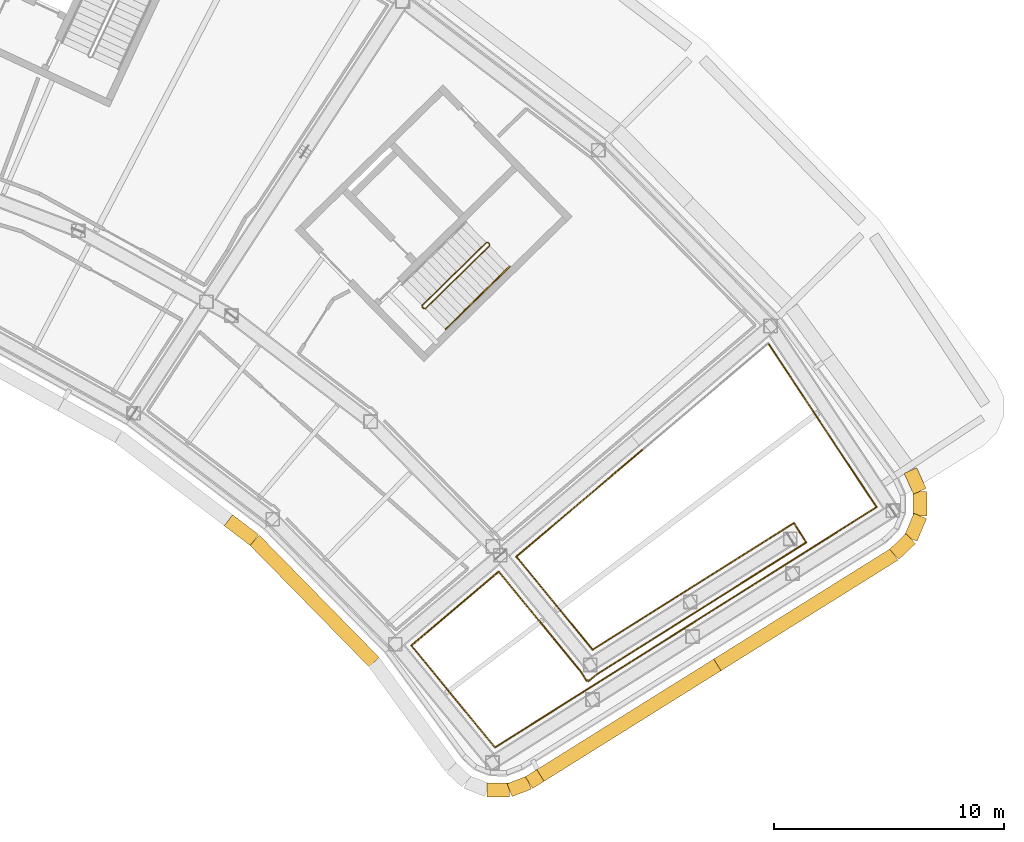
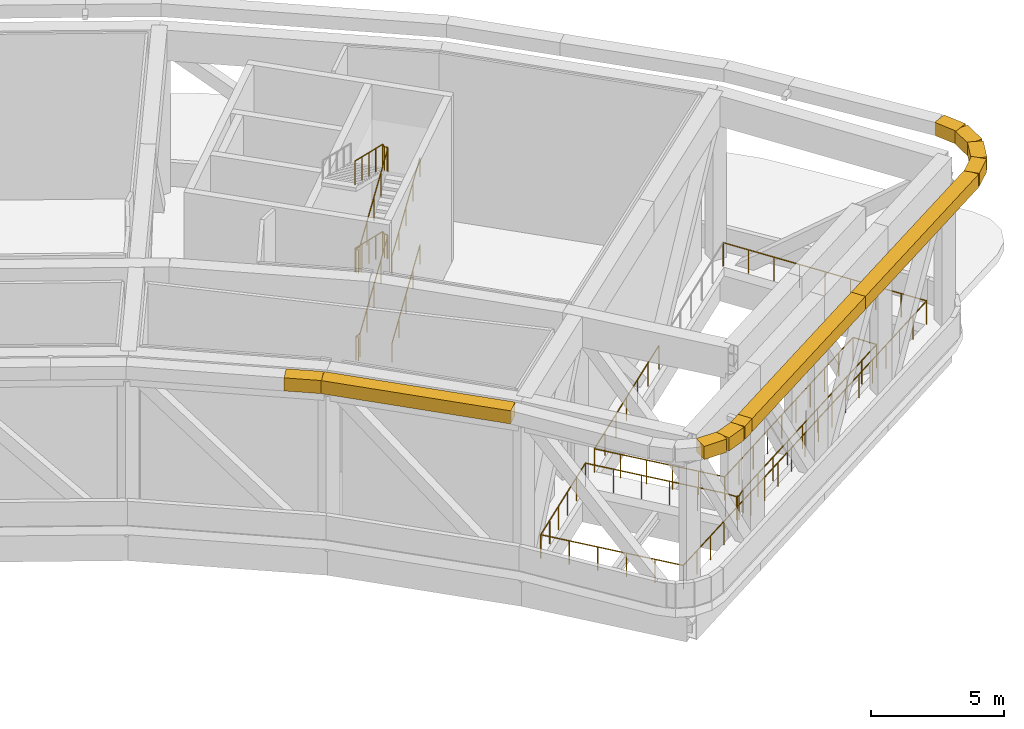
# One storey, part 22 of 24: 12 railings, 11 coverings.
"""IFC4 building model written with IfcOpenShell, lengths in metres."""

from ifc_helpers import new_model, si_unit, direction, frame, origin, origin_2d, place, context, subcontext, project, spatial, rectangle, circle, extrude, material, material_profile, profile_set, type_object, element, save


model = new_model("IFC4")

# Units and contexts
model_context = context("Model", 3, precision=1e-05, world=origin(), true_north=direction((0.0, 1.0)))
body_context = subcontext(model_context, "Body", "Model", "MODEL_VIEW")
ifc_project = project(units=[si_unit("LENGTHUNIT", "METRE"), si_unit("AREAUNIT", "SQUARE_METRE"), si_unit("VOLUMEUNIT", "CUBIC_METRE"), si_unit("PLANEANGLEUNIT", "RADIAN"), si_unit("MASSUNIT", "GRAM", prefix="KILO")], contexts=[model_context])

# Site, building, storey
site_placement = place(None, origin())
site = spatial("IfcSite", under=ifc_project, at=site_placement, CompositionType="ELEMENT")
building_placement = place(site_placement, origin())
building = spatial("IfcBuilding", under=site, at=building_placement, Name="Tuul Gate Civic Tower", CompositionType="ELEMENT")
storey_placement = place(building_placement, frame((0.0, 0.0, 277.800048828125)))
storey = spatial("IfcBuildingStorey", under=building, at=storey_placement, Name="Wind floor 2", CompositionType="ELEMENT", Elevation=277.800048828125)

# Railings
ifc_material_1 = material(Name="Painted steel", Category="steel")
railing_type_1 = type_object("IfcRailingType", Name="Slot guard", PredefinedType="GUARDRAIL", material=ifc_material_1)
railing_1_placement = place(storey_placement, frame((51.19580078125, -35.177001953125, 0.0)))
element("IfcRailing", 1, at=railing_1_placement, inside=storey, type_object=railing_type_1, Name="Guard", PredefinedType="GUARDRAIL", context=body_context, shape_type="SweptSolid", body=[
    extrude(circle(Radius=0.02392578125, at=origin_2d()), frame((0.0, 0.0, 1.076171875), z_axis=(0.846198263712, 0.532868181158, 0.0), x_axis=(-0.532868181158, 0.846198263712, 0.0)), (0.0, 0.0, 1.0), 9.787353515625),
    extrude(circle(Radius=0.02099609375, at=origin_2d()), origin(), (0.0, 0.0, 1.0), 1.052001953125),
    extrude(circle(Radius=0.02099609375, at=origin_2d()), frame((0.920166015625, 0.57958984375, 0.0)), (0.0, 0.0, 1.0), 1.052001953125),
    extrude(circle(Radius=0.02099609375, at=origin_2d()), frame((1.84033203125, 1.158935546875, 0.0)), (0.0, 0.0, 1.0), 1.052001953125),
    extrude(circle(Radius=0.02099609375, at=origin_2d()), frame((2.7607421875, 1.738525390625, 0.0)), (0.0, 0.0, 1.0), 1.052001953125),
    extrude(circle(Radius=0.02099609375, at=origin_2d()), frame((3.680908203125, 2.31787109375, 0.0)), (0.0, 0.0, 1.0), 1.052001953125),
    extrude(circle(Radius=0.02099609375, at=origin_2d()), frame((4.60107421875, 2.8974609375, 0.0)), (0.0, 0.0, 1.0), 1.052001953125),
    extrude(circle(Radius=0.02099609375, at=origin_2d()), frame((5.521240234375, 3.476806640625, 0.0)), (0.0, 0.0, 1.0), 1.052001953125),
    extrude(circle(Radius=0.02099609375, at=origin_2d()), frame((6.441650390625, 4.056396484375, 0.0)), (0.0, 0.0, 1.0), 1.052001953125),
    extrude(circle(Radius=0.02099609375, at=origin_2d()), frame((7.36181640625, 4.6357421875, 0.0)), (0.0, 0.0, 1.0), 1.052001953125),
    extrude(circle(Radius=0.02099609375, at=origin_2d()), frame((8.281982421875, 5.21533203125, 0.0)), (0.0, 0.0, 1.0), 1.052001953125),
])
railing_2_placement = place(storey_placement, frame((59.477783203125, -29.961669921875, 0.0)))
element("IfcRailing", 2, at=railing_2_placement, inside=storey, type_object=railing_type_1, Name="Guard", PredefinedType="GUARDRAIL", context=body_context, shape_type="SweptSolid", body=[
    extrude(circle(Radius=0.02392578125, at=origin_2d()), frame((0.0, 0.0, 1.076171875), z_axis=(0.846205346491, 0.532856933491, 0.0), x_axis=(-0.532856933491, 0.846205346491, 0.0)), (0.0, 0.0, 1.0), 9.78759765625),
    extrude(circle(Radius=0.02099609375, at=origin_2d()), origin(), (0.0, 0.0, 1.0), 1.052001953125),
    extrude(circle(Radius=0.02099609375, at=origin_2d()), frame((0.920166015625, 0.57958984375, 0.0)), (0.0, 0.0, 1.0), 1.052001953125),
    extrude(circle(Radius=0.02099609375, at=origin_2d()), frame((1.840576171875, 1.158935546875, 0.0)), (0.0, 0.0, 1.0), 1.052001953125),
    extrude(circle(Radius=0.02099609375, at=origin_2d()), frame((2.7607421875, 1.738525390625, 0.0)), (0.0, 0.0, 1.0), 1.052001953125),
    extrude(circle(Radius=0.02099609375, at=origin_2d()), frame((3.680908203125, 2.31787109375, 0.0)), (0.0, 0.0, 1.0), 1.052001953125),
    extrude(circle(Radius=0.02099609375, at=origin_2d()), frame((4.601318359375, 2.8974609375, 0.0)), (0.0, 0.0, 1.0), 1.052001953125),
    extrude(circle(Radius=0.02099609375, at=origin_2d()), frame((5.521484375, 3.476806640625, 0.0)), (0.0, 0.0, 1.0), 1.052001953125),
    extrude(circle(Radius=0.02099609375, at=origin_2d()), frame((6.441650390625, 4.056396484375, 0.0)), (0.0, 0.0, 1.0), 1.052001953125),
    extrude(circle(Radius=0.02099609375, at=origin_2d()), frame((7.362060546875, 4.6357421875, 0.0)), (0.0, 0.0, 1.0), 1.052001953125),
    extrude(circle(Radius=0.02099609375, at=origin_2d()), frame((8.2822265625, 5.21533203125, 0.0)), (0.0, 0.0, 1.0), 1.052001953125),
])
railing_3_placement = place(storey_placement, frame((67.760009765625, -24.746337890625, 0.0)))
element("IfcRailing", 3, at=railing_3_placement, inside=storey, type_object=railing_type_1, Name="Guard", PredefinedType="GUARDRAIL", context=body_context, shape_type="SweptSolid", body=[
    extrude(circle(Radius=0.02392578125, at=origin_2d()), frame((0.0, 0.0, 1.076171875), z_axis=(-0.551599397514, 0.834109168312, 0.0), x_axis=(-0.834109168312, -0.551599397514, 0.0)), (0.0, 0.0, 1.0), 8.531982421875),
    extrude(circle(Radius=0.02099609375, at=origin_2d()), origin(), (0.0, 0.0, 1.0), 1.052001953125),
    extrude(circle(Radius=0.02099609375, at=origin_2d()), frame((-0.58837890625, 0.8896484375, 0.0)), (0.0, 0.0, 1.0), 1.052001953125),
    extrude(circle(Radius=0.02099609375, at=origin_2d()), frame((-1.176513671875, 1.779296875, 0.0)), (0.0, 0.0, 1.0), 1.052001953125),
    extrude(circle(Radius=0.02099609375, at=origin_2d()), frame((-1.764892578125, 2.668701171875, 0.0)), (0.0, 0.0, 1.0), 1.052001953125),
    extrude(circle(Radius=0.02099609375, at=origin_2d()), frame((-2.35302734375, 3.558349609375, 0.0)), (0.0, 0.0, 1.0), 1.052001953125),
    extrude(circle(Radius=0.02099609375, at=origin_2d()), frame((-2.94140625, 4.447998046875, 0.0)), (0.0, 0.0, 1.0), 1.052001953125),
    extrude(circle(Radius=0.02099609375, at=origin_2d()), frame((-3.52978515625, 5.33740234375, 0.0)), (0.0, 0.0, 1.0), 1.052001953125),
    extrude(circle(Radius=0.02099609375, at=origin_2d()), frame((-4.117919921875, 6.22705078125, 0.0)), (0.0, 0.0, 1.0), 1.052001953125),
    extrude(circle(Radius=0.02099609375, at=origin_2d()), frame((-4.706298828125, 7.11669921875, 0.0)), (0.0, 0.0, 1.0), 1.052001953125),
])
railing_4_placement = place(storey_placement, frame((57.588623046875, -22.261962890625, 0.0)))
element("IfcRailing", 4, at=railing_4_placement, inside=storey, type_object=railing_type_1, Name="Guard", PredefinedType="GUARDRAIL", context=body_context, shape_type="SweptSolid", body=[
    extrude(circle(Radius=0.02392578125, at=origin_2d()), frame((0.0, 0.0, 1.076171875), z_axis=(-0.762817253397, -0.646614133715, 0.0), x_axis=(0.646614133715, -0.762817253397, 0.0)), (0.0, 0.0, 1.0), 7.164306640625),
    extrude(circle(Radius=0.02099609375, at=origin_2d()), origin(), (0.0, 0.0, 1.0), 1.052001953125),
    extrude(circle(Radius=0.02099609375, at=origin_2d()), frame((-0.910888671875, -0.77197265625, 0.0)), (0.0, 0.0, 1.0), 1.052001953125),
    extrude(circle(Radius=0.02099609375, at=origin_2d()), frame((-1.82177734375, -1.544189453125, 0.0)), (0.0, 0.0, 1.0), 1.052001953125),
    extrude(circle(Radius=0.02099609375, at=origin_2d()), frame((-2.732421875, -2.31640625, 0.0)), (0.0, 0.0, 1.0), 1.052001953125),
    extrude(circle(Radius=0.02099609375, at=origin_2d()), frame((-3.643310546875, -3.08837890625, 0.0)), (0.0, 0.0, 1.0), 1.052001953125),
    extrude(circle(Radius=0.02099609375, at=origin_2d()), frame((-4.55419921875, -3.8603515625, 0.0)), (0.0, 0.0, 1.0), 1.052001953125),
    extrude(circle(Radius=0.02099609375, at=origin_2d()), frame((-5.465087890625, -4.632568359375, 0.0)), (0.0, 0.0, 1.0), 1.052001953125),
])
railing_5_placement = place(storey_placement, frame((52.12353515625, -26.89453125, 0.0)))
element("IfcRailing", 5, at=railing_5_placement, inside=storey, type_object=railing_type_1, Name="Guard", PredefinedType="GUARDRAIL", context=body_context, shape_type="SweptSolid", body=[
    extrude(circle(Radius=0.02392578125, at=origin_2d()), frame((0.0, 0.0, 1.076171875), z_axis=(0.634417555576, -0.772990533692, 0.0), x_axis=(0.772990533692, 0.634417555576, 0.0)), (0.0, 0.0, 1.0), 5.2255859375),
    extrude(circle(Radius=0.02099609375, at=origin_2d()), origin(), (0.0, 0.0, 1.0), 1.052001953125),
    extrude(circle(Radius=0.02099609375, at=origin_2d()), frame((0.6630859375, -0.807861328125, 0.0)), (0.0, 0.0, 1.0), 1.052001953125),
    extrude(circle(Radius=0.02099609375, at=origin_2d()), frame((1.326171875, -1.61572265625, 0.0)), (0.0, 0.0, 1.0), 1.052001953125),
    extrude(circle(Radius=0.02099609375, at=origin_2d()), frame((1.989013671875, -2.423583984375, 0.0)), (0.0, 0.0, 1.0), 1.052001953125),
    extrude(circle(Radius=0.02099609375, at=origin_2d()), frame((2.652099609375, -3.2314453125, 0.0)), (0.0, 0.0, 1.0), 1.052001953125),
    extrude(circle(Radius=0.02099609375, at=origin_2d()), frame((3.315185546875, -4.039306640625, 0.0)), (0.0, 0.0, 1.0), 1.052001953125),
])
railing_6_placement = place(storey_placement, frame((55.438720703125, -30.933837890625, 0.0)))
element("IfcRailing", 6, at=railing_6_placement, inside=storey, type_object=railing_type_1, Name="Guard", PredefinedType="GUARDRAIL", context=body_context, shape_type="SweptSolid", body=[
    extrude(circle(Radius=0.02392578125, at=origin_2d()), frame((0.0, 0.0, 1.076171875), z_axis=(0.846199661441, 0.532865961548, 0.0), x_axis=(-0.532865961548, 0.846199661441, 0.0)), (0.0, 0.0, 1.0), 10.322509765625),
    extrude(circle(Radius=0.02392578125, at=origin_2d()), frame((8.73486328125, 5.50048828125, 1.076171875), z_axis=(0.532936288424, -0.84615537136, 0.0), x_axis=(0.84615537136, 0.532936288424, 0.0)), (0.0, 0.0, 1.0), 1.0),
    extrude(circle(Radius=0.02099609375, at=origin_2d()), origin(), (0.0, 0.0, 1.0), 1.052001953125),
    extrude(circle(Radius=0.02099609375, at=origin_2d()), frame((0.970458984375, 0.611083984375, 0.0)), (0.0, 0.0, 1.0), 1.052001953125),
    extrude(circle(Radius=0.02099609375, at=origin_2d()), frame((1.941162109375, 1.222412109375, 0.0)), (0.0, 0.0, 1.0), 1.052001953125),
    extrude(circle(Radius=0.02099609375, at=origin_2d()), frame((2.91162109375, 1.83349609375, 0.0)), (0.0, 0.0, 1.0), 1.052001953125),
    extrude(circle(Radius=0.02099609375, at=origin_2d()), frame((3.882080078125, 2.444580078125, 0.0)), (0.0, 0.0, 1.0), 1.052001953125),
    extrude(circle(Radius=0.02099609375, at=origin_2d()), frame((4.852783203125, 3.055908203125, 0.0)), (0.0, 0.0, 1.0), 1.052001953125),
    extrude(circle(Radius=0.02099609375, at=origin_2d()), frame((5.8232421875, 3.6669921875, 0.0)), (0.0, 0.0, 1.0), 1.052001953125),
    extrude(circle(Radius=0.02099609375, at=origin_2d()), frame((6.793701171875, 4.278076171875, 0.0)), (0.0, 0.0, 1.0), 1.052001953125),
    extrude(circle(Radius=0.02099609375, at=origin_2d()), frame((7.764404296875, 4.889404296875, 0.0)), (0.0, 0.0, 1.0), 1.052001953125),
    extrude(circle(Radius=0.02099609375, at=origin_2d()), frame((8.73486328125, 5.50048828125, 0.0)), (0.0, 0.0, 1.0), 1.052001953125),
    extrude(circle(Radius=0.02099609375, at=origin_2d()), frame((9.267822265625, 4.654296875, 0.0)), (0.0, 0.0, 1.0), 1.052001953125),
])
railing_7_placement = place(storey_placement, frame((64.70654296875, -26.279541015625, 0.0)))
element("IfcRailing", 7, at=railing_7_placement, inside=storey, type_object=railing_type_1, Name="Guard", PredefinedType="GUARDRAIL", context=body_context, shape_type="SweptSolid", body=[
    extrude(circle(Radius=0.02392578125, at=origin_2d()), frame((0.0, 0.0, 1.076171875), z_axis=(-0.846201687837, -0.532862743586, 0.0), x_axis=(0.532862743586, -0.846201687837, 0.0)), (0.0, 0.0, 1.0), 10.732177734375),
    extrude(circle(Radius=0.02392578125, at=origin_2d()), frame((-9.08154296875, -5.71875, 1.076171875), z_axis=(-0.772981671656, -0.634428353152, 0.0), x_axis=(0.634428353152, -0.772981671656, 0.0)), (0.0, 0.0, 1.0), 0.46875),
    extrude(circle(Radius=0.02392578125, at=origin_2d()), frame((-9.44384765625, -6.01611328125, 1.076171875), z_axis=(-0.633237790257, 0.773957299203, 0.0), x_axis=(-0.773957299203, -0.633237790257, 0.0)), (0.0, 0.0, 1.0), 0.05908203125),
    extrude(circle(Radius=0.02392578125, at=origin_2d()), frame((-9.481201171875, -5.970458984375, 1.076171875), z_axis=(-0.846370703379, -0.532594247492, 0.0), x_axis=(0.532594247492, -0.846370703379, 0.0)), (0.0, 0.0, 1.0), 0.05908203125),
    extrude(circle(Radius=0.02392578125, at=origin_2d()), frame((-9.53125, -6.001953125, 1.076171875), z_axis=(-0.532992898542, 0.846119713814, 0.0), x_axis=(-0.846119713814, -0.532992898542, 0.0)), (0.0, 0.0, 1.0), 0.468505859375),
    extrude(circle(Radius=0.02099609375, at=origin_2d()), origin(), (0.0, 0.0, 1.0), 1.052001953125),
    extrude(circle(Radius=0.02099609375, at=origin_2d()), frame((-1.009033203125, -0.635498046875, 0.0)), (0.0, 0.0, 1.0), 1.052001953125),
    extrude(circle(Radius=0.02099609375, at=origin_2d()), frame((-2.01806640625, -1.270751953125, 0.0)), (0.0, 0.0, 1.0), 1.052001953125),
    extrude(circle(Radius=0.02099609375, at=origin_2d()), frame((-3.027099609375, -1.90625, 0.0)), (0.0, 0.0, 1.0), 1.052001953125),
    extrude(circle(Radius=0.02099609375, at=origin_2d()), frame((-4.0361328125, -2.541748046875, 0.0)), (0.0, 0.0, 1.0), 1.052001953125),
    extrude(circle(Radius=0.02099609375, at=origin_2d()), frame((-5.04541015625, -3.177001953125, 0.0)), (0.0, 0.0, 1.0), 1.052001953125),
    extrude(circle(Radius=0.02099609375, at=origin_2d()), frame((-6.054443359375, -3.8125, 0.0)), (0.0, 0.0, 1.0), 1.052001953125),
    extrude(circle(Radius=0.02099609375, at=origin_2d()), frame((-7.0634765625, -4.447998046875, 0.0)), (0.0, 0.0, 1.0), 1.052001953125),
    extrude(circle(Radius=0.02099609375, at=origin_2d()), frame((-8.072509765625, -5.083251953125, 0.0)), (0.0, 0.0, 1.0), 1.052001953125),
    extrude(circle(Radius=0.02099609375, at=origin_2d()), frame((-9.08154296875, -5.71875, 0.0)), (0.0, 0.0, 1.0), 1.052001953125),
    extrude(circle(Radius=0.02099609375, at=origin_2d()), frame((-9.44384765625, -6.01611328125, 0.0)), (0.0, 0.0, 1.0), 1.052001953125),
    extrude(circle(Radius=0.02099609375, at=origin_2d()), frame((-9.481201171875, -5.970458984375, 0.0)), (0.0, 0.0, 1.0), 1.052001953125),
    extrude(circle(Radius=0.02099609375, at=origin_2d()), frame((-9.53125, -6.001953125, 0.0)), (0.0, 0.0, 1.0), 1.052001953125),
    extrude(circle(Radius=0.02099609375, at=origin_2d()), frame((-9.781005859375, -5.60546875, 0.0)), (0.0, 0.0, 1.0), 1.052001953125),
])
railing_8_placement = place(storey_placement, frame((54.925537109375, -31.885009765625, 0.0)))
element("IfcRailing", 8, at=railing_8_placement, inside=storey, type_object=railing_type_1, Name="Guard", PredefinedType="GUARDRAIL", context=body_context, shape_type="SweptSolid", body=[
    extrude(circle(Radius=0.02392578125, at=origin_2d()), frame((0.0, 0.0, 1.076171875), z_axis=(-0.63438451665, 0.773017648592, 0.0), x_axis=(-0.773017648592, -0.63438451665, 0.0)), (0.0, 0.0, 1.0), 5.61962890625),
    extrude(circle(Radius=0.02392578125, at=origin_2d()), frame((-3.56494140625, 4.343994140625, 1.076171875), z_axis=(-0.762825405592, -0.646604516365, 0.0), x_axis=(0.646604516365, -0.762825405592, 0.0)), (0.0, 0.0, 1.0), 4.97216796875),
    extrude(circle(Radius=0.02099609375, at=origin_2d()), origin(), (0.0, 0.0, 1.0), 1.052001953125),
    extrude(circle(Radius=0.02099609375, at=origin_2d()), frame((-0.712890625, 0.868896484375, 0.0)), (0.0, 0.0, 1.0), 1.052001953125),
    extrude(circle(Radius=0.02099609375, at=origin_2d()), frame((-1.426025390625, 1.737548828125, 0.0)), (0.0, 0.0, 1.0), 1.052001953125),
    extrude(circle(Radius=0.02099609375, at=origin_2d()), frame((-2.138916015625, 2.6064453125, 0.0)), (0.0, 0.0, 1.0), 1.052001953125),
    extrude(circle(Radius=0.02099609375, at=origin_2d()), frame((-2.85205078125, 3.47509765625, 0.0)), (0.0, 0.0, 1.0), 1.052001953125),
    extrude(circle(Radius=0.02099609375, at=origin_2d()), frame((-3.56494140625, 4.343994140625, 0.0)), (0.0, 0.0, 1.0), 1.052001953125),
    extrude(circle(Radius=0.02099609375, at=origin_2d()), frame((-4.323486328125, 3.700927734375, 0.0)), (0.0, 0.0, 1.0), 1.052001953125),
    extrude(circle(Radius=0.02099609375, at=origin_2d()), frame((-5.08203125, 3.057861328125, 0.0)), (0.0, 0.0, 1.0), 1.052001953125),
    extrude(circle(Radius=0.02099609375, at=origin_2d()), frame((-5.8408203125, 2.4150390625, 0.0)), (0.0, 0.0, 1.0), 1.052001953125),
    extrude(circle(Radius=0.02099609375, at=origin_2d()), frame((-6.599365234375, 1.77197265625, 0.0)), (0.0, 0.0, 1.0), 1.052001953125),
    extrude(circle(Radius=0.02099609375, at=origin_2d()), frame((-7.35791015625, 1.12890625, 0.0)), (0.0, 0.0, 1.0), 1.052001953125),
])
railing_9_placement = place(storey_placement, frame((47.567626953125, -30.756103515625, 0.0)))
element("IfcRailing", 9, at=railing_9_placement, inside=storey, type_object=railing_type_1, Name="Guard", PredefinedType="GUARDRAIL", context=body_context, shape_type="SweptSolid", body=[
    extrude(circle(Radius=0.02392578125, at=origin_2d()), frame((0.0, 0.0, 1.076171875), z_axis=(0.634397071028, -0.773007345548, 0.0), x_axis=(0.773007345548, 0.634397071028, 0.0)), (0.0, 0.0, 1.0), 5.718994140625),
    extrude(circle(Radius=0.02099609375, at=origin_2d()), origin(), (0.0, 0.0, 1.0), 1.052001953125),
    extrude(circle(Radius=0.02099609375, at=origin_2d()), frame((0.7255859375, -0.88427734375, 0.0)), (0.0, 0.0, 1.0), 1.052001953125),
    extrude(circle(Radius=0.02099609375, at=origin_2d()), frame((1.451171875, -1.768310546875, 0.0)), (0.0, 0.0, 1.0), 1.052001953125),
    extrude(circle(Radius=0.02099609375, at=origin_2d()), frame((2.177001953125, -2.652587890625, 0.0)), (0.0, 0.0, 1.0), 1.052001953125),
    extrude(circle(Radius=0.02099609375, at=origin_2d()), frame((2.902587890625, -3.53662109375, 0.0)), (0.0, 0.0, 1.0), 1.052001953125),
    extrude(circle(Radius=0.02099609375, at=origin_2d()), frame((3.628173828125, -4.4208984375, 0.0)), (0.0, 0.0, 1.0), 1.052001953125),
])
ifc_material_2 = material(Name="Painted steel", Category="steel")
railing_type_2 = type_object("IfcRailingType", Name="Stair guard", PredefinedType="GUARDRAIL", material=ifc_material_2)
railing_10_placement = place(storey_placement, frame((48.10546875, -16.134765625, 0.0)))
element("IfcRailing", 10, at=railing_10_placement, inside=storey, type_object=railing_type_2, Name="Wind floor 2 ST-3 stair guard 1", PredefinedType="GUARDRAIL", context=body_context, shape_type="SweptSolid", body=[
    extrude(circle(Radius=0.02392578125, at=origin_2d()), frame((0.0, 0.0, 1.076171875), z_axis=(-0.698506948293, 0.715603272202, 0.0), x_axis=(-0.715603272202, -0.698506948293, 0.0)), (0.0, 0.0, 1.0), 0.099853515625),
    extrude(circle(Radius=0.02392578125, at=origin_2d()), frame((-0.06982421875, 0.071533203125, 1.076171875), z_axis=(0.660015551656, -0.33917465849, 0.670328294651), x_axis=(0.457068866502, 0.889431307788, 0.0)), (0.0, 0.0, 1.0), 0.213134765625),
    extrude(circle(Radius=0.02392578125, at=origin_2d()), frame((0.07080078125, -0.000732421875, 1.21875), z_axis=(0.644747837634, 0.632031475129, 0.429926087034), x_axis=(-0.700029477518, 0.714113947914, 0.0)), (0.0, 0.0, 1.0), 4.31982421875),
    extrude(circle(Radius=0.02392578125, at=origin_2d()), frame((2.85595703125, 2.7294921875, 3.076171875), z_axis=(0.010380063588, 0.999946125689, 0.0), x_axis=(-0.999946125689, 0.010380063588, 0.0)), (0.0, 0.0, 1.0), 0.070556640625),
    extrude(circle(Radius=0.02392578125, at=origin_2d()), frame((2.856689453125, 2.800048828125, 3.076171875), z_axis=(-0.699754442181, 0.714383454909, 0.0), x_axis=(-0.714383454909, -0.699754442181, 0.0)), (0.0, 0.0, 1.0), 0.10009765625),
    extrude(circle(Radius=0.02392578125, at=origin_2d()), frame((2.78662109375, 2.87158203125, 3.076171875), z_axis=(-0.444143196092, 0.004594584787, 0.895944033495), x_axis=(-0.010344274102, -0.999946496565, 0.0)), (0.0, 0.0, 1.0), 0.159423828125),
    extrude(circle(Radius=0.02392578125, at=origin_2d()), frame((2.7158203125, 2.872314453125, 3.21875), z_axis=(-0.644747837634, -0.632031475129, 0.429926087034), x_axis=(0.700029477518, -0.714113947914, 0.0)), (0.0, 0.0, 1.0), 4.31982421875),
    extrude(circle(Radius=0.02392578125, at=origin_2d()), frame((-0.0693359375, 0.14208984375, 5.076171875), z_axis=(0.438545321651, -0.89870907465, 0.0), x_axis=(0.89870907465, 0.438545321651, 0.0)), (0.0, 0.0, 1.0), 0.158203125),
    extrude(circle(Radius=0.02392578125, at=origin_2d()), frame((0.0, 0.0, 5.076171875), z_axis=(-0.698506948293, 0.715603272202, 0.0), x_axis=(-0.715603272202, -0.698506948293, 0.0)), (0.0, 0.0, 1.0), 0.099853515625),
    extrude(circle(Radius=0.02392578125, at=origin_2d()), frame((-0.06982421875, 0.071533203125, 5.076171875), z_axis=(0.660015551656, -0.33917465849, 0.670328294651), x_axis=(0.457068866502, 0.889431307788, 0.0)), (0.0, 0.0, 1.0), 0.213134765625),
    extrude(circle(Radius=0.02392578125, at=origin_2d()), frame((0.07080078125, -0.000732421875, 5.21875), z_axis=(0.644747837634, 0.632031475129, 0.429926087034), x_axis=(-0.700029477518, 0.714113947914, 0.0)), (0.0, 0.0, 1.0), 4.31982421875),
    extrude(circle(Radius=0.02392578125, at=origin_2d()), frame((2.85595703125, 2.7294921875, 7.076171875), z_axis=(0.010380063588, 0.999946125689, 0.0), x_axis=(-0.999946125689, 0.010380063588, 0.0)), (0.0, 0.0, 1.0), 0.070556640625),
    extrude(circle(Radius=0.02392578125, at=origin_2d()), frame((2.856689453125, 2.800048828125, 7.076171875), z_axis=(-0.699754442181, 0.714383454909, 0.0), x_axis=(-0.714383454909, -0.699754442181, 0.0)), (0.0, 0.0, 1.0), 0.10009765625),
    extrude(circle(Radius=0.02392578125, at=origin_2d()), frame((2.78662109375, 2.87158203125, 7.076171875), z_axis=(-0.444143196092, 0.004594584787, 0.895944033495), x_axis=(-0.010344274102, -0.999946496565, 0.0)), (0.0, 0.0, 1.0), 0.159423828125),
    extrude(circle(Radius=0.02392578125, at=origin_2d()), frame((2.7158203125, 2.872314453125, 7.21875), z_axis=(-0.644747837634, -0.632031475129, 0.429926087034), x_axis=(0.700029477518, -0.714113947914, 0.0)), (0.0, 0.0, 1.0), 4.31982421875),
    extrude(circle(Radius=0.02099609375, at=origin_2d()), origin(), (0.0, 0.0, 1.0), 1.052001953125),
    extrude(circle(Radius=0.02099609375, at=origin_2d()), frame((-0.06982421875, 0.071533203125, 0.0)), (0.0, 0.0, 1.0), 1.052001953125),
    extrude(circle(Radius=0.02099609375, at=origin_2d()), frame((0.07080078125, -0.000732421875, 0.142822265625)), (0.0, 0.0, 1.0), 1.052001953125),
    extrude(circle(Radius=0.02099609375, at=origin_2d()), frame((0.76708984375, 0.681884765625, 0.607177734375)), (0.0, 0.0, 1.0), 1.052001953125),
    extrude(circle(Radius=0.02099609375, at=origin_2d()), frame((1.46337890625, 1.3642578125, 1.0712890625)), (0.0, 0.0, 1.0), 1.052001953125),
    extrude(circle(Radius=0.02099609375, at=origin_2d()), frame((2.15966796875, 2.046875, 1.53564453125)), (0.0, 0.0, 1.0), 1.052001953125),
    extrude(circle(Radius=0.02099609375, at=origin_2d()), frame((2.85595703125, 2.7294921875, 2.0)), (0.0, 0.0, 1.0), 1.052001953125),
    extrude(circle(Radius=0.02099609375, at=origin_2d()), frame((2.856689453125, 2.800048828125, 2.0)), (0.0, 0.0, 1.0), 1.052001953125),
    extrude(circle(Radius=0.02099609375, at=origin_2d()), frame((2.78662109375, 2.87158203125, 2.0)), (0.0, 0.0, 1.0), 1.052001953125),
    extrude(circle(Radius=0.02099609375, at=origin_2d()), frame((2.7158203125, 2.872314453125, 2.142822265625)), (0.0, 0.0, 1.0), 1.052001953125),
    extrude(circle(Radius=0.02099609375, at=origin_2d()), frame((2.01953125, 2.189697265625, 2.607177734375)), (0.0, 0.0, 1.0), 1.052001953125),
    extrude(circle(Radius=0.02099609375, at=origin_2d()), frame((1.3232421875, 1.50732421875, 3.0712890625)), (0.0, 0.0, 1.0), 1.052001953125),
    extrude(circle(Radius=0.02099609375, at=origin_2d()), frame((0.626953125, 0.82470703125, 3.53564453125)), (0.0, 0.0, 1.0), 1.052001953125),
    extrude(circle(Radius=0.02099609375, at=origin_2d()), frame((-0.0693359375, 0.14208984375, 4.0)), (0.0, 0.0, 1.0), 1.052001953125),
    extrude(circle(Radius=0.02099609375, at=origin_2d()), frame((0.0, 0.0, 4.0)), (0.0, 0.0, 1.0), 1.052001953125),
    extrude(circle(Radius=0.02099609375, at=origin_2d()), frame((-0.06982421875, 0.071533203125, 4.0)), (0.0, 0.0, 1.0), 1.052001953125),
    extrude(circle(Radius=0.02099609375, at=origin_2d()), frame((0.07080078125, -0.000732421875, 4.142822265625)), (0.0, 0.0, 1.0), 1.052001953125),
    extrude(circle(Radius=0.02099609375, at=origin_2d()), frame((0.76708984375, 0.681884765625, 4.607177734375)), (0.0, 0.0, 1.0), 1.052001953125),
    extrude(circle(Radius=0.02099609375, at=origin_2d()), frame((1.46337890625, 1.3642578125, 5.0712890625)), (0.0, 0.0, 1.0), 1.052001953125),
    extrude(circle(Radius=0.02099609375, at=origin_2d()), frame((2.15966796875, 2.046875, 5.53564453125)), (0.0, 0.0, 1.0), 1.052001953125),
    extrude(circle(Radius=0.02099609375, at=origin_2d()), frame((2.85595703125, 2.7294921875, 6.0)), (0.0, 0.0, 1.0), 1.052001953125),
    extrude(circle(Radius=0.02099609375, at=origin_2d()), frame((2.856689453125, 2.800048828125, 6.0)), (0.0, 0.0, 1.0), 1.052001953125),
    extrude(circle(Radius=0.02099609375, at=origin_2d()), frame((2.78662109375, 2.87158203125, 6.0)), (0.0, 0.0, 1.0), 1.052001953125),
    extrude(circle(Radius=0.02099609375, at=origin_2d()), frame((2.7158203125, 2.872314453125, 6.142822265625)), (0.0, 0.0, 1.0), 1.052001953125),
    extrude(circle(Radius=0.02099609375, at=origin_2d()), frame((2.01953125, 2.189697265625, 6.607177734375)), (0.0, 0.0, 1.0), 1.052001953125),
    extrude(circle(Radius=0.02099609375, at=origin_2d()), frame((1.3232421875, 1.50732421875, 7.0712890625)), (0.0, 0.0, 1.0), 1.052001953125),
    extrude(circle(Radius=0.02099609375, at=origin_2d()), frame((0.626953125, 0.82470703125, 7.53564453125)), (0.0, 0.0, 1.0), 1.052001953125),
    extrude(circle(Radius=0.02099609375, at=origin_2d()), frame((-0.0693359375, 0.14208984375, 8.0)), (0.0, 0.0, 1.0), 1.052001953125),
])
ifc_material_3 = material(Name="Painted steel", Category="steel")
railing_type_3 = type_object("IfcRailingType", Name="Stair handrail", PredefinedType="HANDRAIL", material=ifc_material_3)
for number, where, name in (
    (11, (49.05126953125, -17.028076171875, 0.142822265625), "Wind floor 2 ST-3 stair handrail 1"),
    (12, (49.05126953125, -17.028076171875, 4.142822265625), "Wind floor 2 ST-3 stair handrail 3"),
):
    element("IfcRailing", number, at=place(storey_placement, frame(where)), inside=storey, type_object=railing_type_3, Name=name, PredefinedType="HANDRAIL", context=body_context, shape_type="SweptSolid", body=[
        extrude(circle(Radius=0.02392578125, at=origin_2d()), frame((0.0, 0.0, 0.8759765625), z_axis=(0.644770868637, 0.631997532705, 0.4299414444), x_axis=(-0.699997553204, 0.714145241186, 0.0)), (0.0, 0.0, 1.0), 4.319580078125),
        extrude(circle(Radius=0.02099609375, at=origin_2d()), origin(), (0.0, 0.0, 1.0), 0.851806640625),
        extrude(circle(Radius=0.02099609375, at=origin_2d()), frame((0.6962890625, 0.6826171875, 0.46435546875)), (0.0, 0.0, 1.0), 0.851806640625),
        extrude(circle(Radius=0.02099609375, at=origin_2d()), frame((1.392578125, 1.364990234375, 0.9287109375)), (0.0, 0.0, 1.0), 0.851806640625),
        extrude(circle(Radius=0.02099609375, at=origin_2d()), frame((2.0888671875, 2.04736328125, 1.392822265625)), (0.0, 0.0, 1.0), 0.851806640625),
        extrude(circle(Radius=0.02099609375, at=origin_2d()), frame((2.78515625, 2.72998046875, 1.857177734375)), (0.0, 0.0, 1.0), 0.851806640625),
    ])

# Coverings
ifc_material_4 = material(Name="Terracotta baguette", Category="masonry")
ifc_material_profile = material_profile(ifc_material_4, rectangle(XDim=0.60009765625, YDim=0.60009765625, at=origin_2d()), Name="Terracotta baguette screen frame")
ifc_profile_set = profile_set([ifc_material_profile], Name="Terracotta baguette")
covering_type = type_object("IfcCoveringType", Name="Terracotta baguette screen frame", PredefinedType="CLADDING", material=ifc_profile_set)
covering_1_placement = place(storey_placement, frame((53.1728515625, -36.389892578125, 7.64990234375), z_axis=(0.848039206863, 0.52993348981, 0.0), x_axis=(-0.52993348981, 0.848039206863, 0.0)))
element("IfcCovering", 13, at=covering_1_placement, inside=storey, type_object=covering_type, Name="Baguette 282", PredefinedType="CLADDING", context=body_context, shape_type="SweptSolid", body=[
    extrude(rectangle(XDim=0.60009765625, YDim=0.60009765625, at=origin_2d()), origin(), (0.0, 0.0, 1.0), 9.05322265625),
])
covering_2_placement = place(storey_placement, frame((39.62939453125, -25.314208984375, 7.64990234375), z_axis=(0.795601526241, -0.605820279821, 0.0), x_axis=(0.605820279821, 0.795601526241, 0.0)))
element("IfcCovering", 14, at=covering_2_placement, inside=storey, type_object=covering_type, Name="Baguette 396", PredefinedType="CLADDING", context=body_context, shape_type="SweptSolid", body=[
    extrude(rectangle(XDim=0.60009765625, YDim=0.60009765625, at=origin_2d()), origin(), (0.0, 0.0, 1.0), 1.4189453125),
])
covering_3_placement = place(storey_placement, frame((40.75830078125, -26.173828125, 7.64990234375), z_axis=(0.700045416035, -0.714098323404, 0.0), x_axis=(0.714098323404, 0.700045416035, 0.0)))
element("IfcCovering", 15, at=covering_3_placement, inside=storey, type_object=covering_type, Name="Baguette 397", PredefinedType="CLADDING", context=body_context, shape_type="SweptSolid", body=[
    extrude(rectangle(XDim=0.60009765625, YDim=0.60009765625, at=origin_2d()), origin(), (0.0, 0.0, 1.0), 7.418212890625),
])
covering_4_placement = place(storey_placement, frame((50.85986328125, -37.026611328125, 7.64990234375), z_axis=(0.999996190252, -0.002760340801, 0.0), x_axis=(0.002760340801, 0.999996190252, 0.0)))
element("IfcCovering", 16, at=covering_4_placement, inside=storey, type_object=covering_type, Name="Baguette 401", PredefinedType="CLADDING", context=body_context, shape_type="SweptSolid", body=[
    extrude(rectangle(XDim=0.60009765625, YDim=0.60009765625, at=origin_2d()), origin(), (0.0, 0.0, 1.0), 0.972900390625),
])
covering_5_placement = place(storey_placement, frame((51.832763671875, -37.029296875, 7.64990234375), z_axis=(0.93189278144, 0.362733847194, 0.0), x_axis=(-0.362733847194, 0.93189278144, 0.0)))
element("IfcCovering", 17, at=covering_5_placement, inside=storey, type_object=covering_type, Name="Baguette 402", PredefinedType="CLADDING", context=body_context, shape_type="SweptSolid", body=[
    extrude(rectangle(XDim=0.60009765625, YDim=0.60009765625, at=origin_2d()), origin(), (0.0, 0.0, 1.0), 0.901123046875),
])
covering_6_placement = place(storey_placement, frame((52.672607421875, -36.702392578125, 7.64990234375), z_axis=(0.848114552231, 0.52981289744, 0.0), x_axis=(-0.52981289744, 0.848114552231, 0.0)))
element("IfcCovering", 18, at=covering_6_placement, inside=storey, type_object=covering_type, Name="Baguette 403", PredefinedType="CLADDING", context=body_context, shape_type="SweptSolid", body=[
    extrude(rectangle(XDim=0.60009765625, YDim=0.60009765625, at=origin_2d()), origin(), (0.0, 0.0, 1.0), 0.58984375),
])
covering_7_placement = place(storey_placement, frame((60.850341796875, -31.59228515625, 7.64990234375), z_axis=(0.84807101712, 0.529882581258, 0.0), x_axis=(-0.529882581258, 0.84807101712, 0.0)))
element("IfcCovering", 19, at=covering_7_placement, inside=storey, type_object=covering_type, Name="Baguette 404", PredefinedType="CLADDING", context=body_context, shape_type="SweptSolid", body=[
    extrude(rectangle(XDim=0.60009765625, YDim=0.60009765625, at=origin_2d()), origin(), (0.0, 0.0, 1.0), 9.05322265625),
])
covering_8_placement = place(storey_placement, frame((68.528076171875, -26.795166015625, 7.64990234375), z_axis=(0.722137314744, 0.691749737011, 0.0), x_axis=(-0.691749737011, 0.722137314744, 0.0)))
element("IfcCovering", 20, at=covering_8_placement, inside=storey, type_object=covering_type, Name="Baguette 405", PredefinedType="CLADDING", context=body_context, shape_type="SweptSolid", body=[
    extrude(rectangle(XDim=0.60009765625, YDim=0.60009765625, at=origin_2d()), origin(), (0.0, 0.0, 1.0), 0.98828125),
])
covering_9_placement = place(storey_placement, frame((69.24169921875, -26.111572265625, 7.64990234375), z_axis=(0.385784883999, 0.922588761734, 0.0), x_axis=(-0.922588761734, 0.385784883999, 0.0)))
element("IfcCovering", 21, at=covering_9_placement, inside=storey, type_object=covering_type, Name="Baguette 406", PredefinedType="CLADDING", context=body_context, shape_type="SweptSolid", body=[
    extrude(rectangle(XDim=0.60009765625, YDim=0.60009765625, at=origin_2d()), origin(), (0.0, 0.0, 1.0), 1.06689453125),
])
covering_10_placement = place(storey_placement, frame((69.6533203125, -25.127197265625, 7.64990234375), z_axis=(-0.014637041139, 0.999892872775, 0.0), x_axis=(-0.999892872775, -0.014637041139, 0.0)))
element("IfcCovering", 22, at=covering_10_placement, inside=storey, type_object=covering_type, Name="Baguette 407", PredefinedType="CLADDING", context=body_context, shape_type="SweptSolid", body=[
    extrude(rectangle(XDim=0.60009765625, YDim=0.60009765625, at=origin_2d()), origin(), (0.0, 0.0, 1.0), 1.0673828125),
])
covering_11_placement = place(storey_placement, frame((69.6376953125, -24.059814453125, 7.64990234375), z_axis=(-0.412573349968, 0.910924382644, 0.0), x_axis=(-0.910924382644, -0.412573349968, 0.0)))
element("IfcCovering", 23, at=covering_11_placement, inside=storey, type_object=covering_type, Name="Baguette 408", PredefinedType="CLADDING", context=body_context, shape_type="SweptSolid", body=[
    extrude(rectangle(XDim=0.60009765625, YDim=0.60009765625, at=origin_2d()), origin(), (0.0, 0.0, 1.0), 0.987548828125),
])

save(model, "model.ifc")
